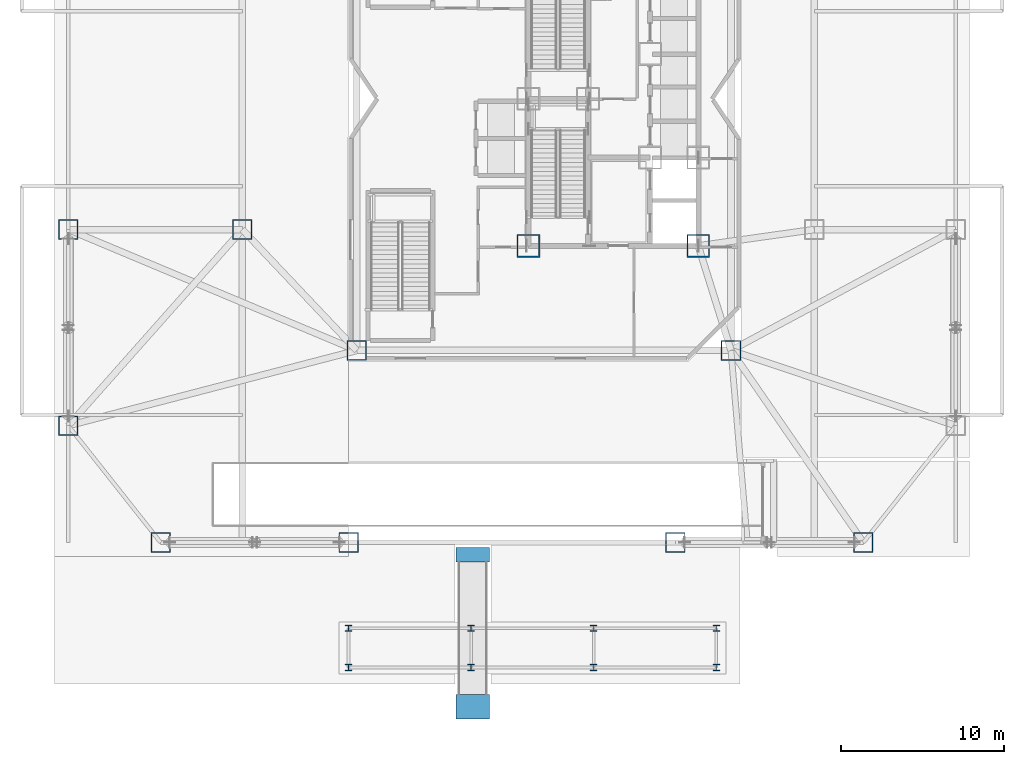
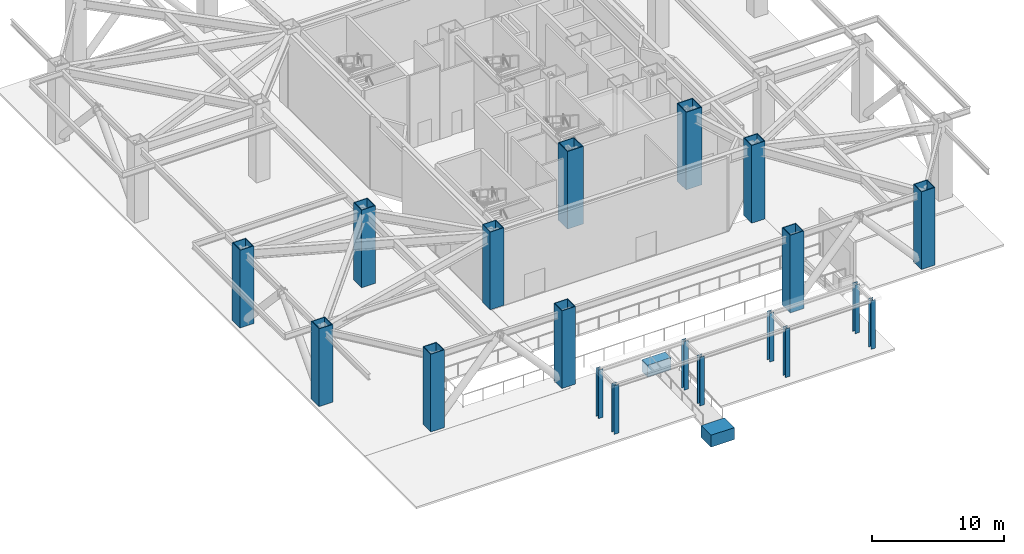
# One storey, part 1 of 14: 19 columns, 2 footings.
"""IFC4 building model written with IfcOpenShell, lengths in metres."""

import ifcopenshell
import ifcopenshell.guid

model = None  # the IFC model being written
_history = None  # IfcOwnerHistory: only IFC2X3 demands one
_inside = {}  # id of a spatial element -> (the spatial element, [elements in it])
_under = {}  # id of a project, library or spatial element -> (it, [spatial elements below it])
_declared = {}  # id of a project -> (the project, [libraries it declares])
_typed = {}  # id of a type object -> (the type object, [elements of that type])
_made_of = {}  # id of a material, layer set ... -> (it, [elements and type objects made of it])


def new_model(schema):
    """Start an empty IFC model of exactly this schema.

    Asked for "IFC4X3", IfcOpenShell would pick the latest addendum, in which some entities
    have other attributes; the version numbers below select the first issue.
    IFC2X3 requires an IfcOwnerHistory on every rooted entity: one is made here for all.
    """
    global model, _history
    if schema == "IFC4X3":
        model = ifcopenshell.file(schema_version=(4, 3, 0, 0))
    else:
        model = ifcopenshell.file(schema=schema)
    _inside.clear()
    _under.clear()
    _declared.clear()
    _typed.clear()
    _made_of.clear()
    _history = None
    if model.schema == "IFC2X3":
        org = make("IfcOrganization", Name="unknown")
        user = make(
            "IfcPersonAndOrganization",
            ThePerson=make("IfcPerson", FamilyName="unknown"),
            TheOrganization=org,
        )
        app = make(
            "IfcApplication",
            ApplicationDeveloper=org,
            Version="unknown",
            ApplicationFullName="unknown",
            ApplicationIdentifier="unknown",
        )
        _history = make(
            "IfcOwnerHistory",
            OwningUser=user,
            OwningApplication=app,
            ChangeAction="ADDED",
            CreationDate=0,
        )
    return model


def make(cls, **values):
    """One entity of the class cls with the attributes given. An attribute that is None is left unset."""
    return model.create_entity(
        cls, **{name: value for name, value in values.items() if value is not None}
    )


def rooted(cls, **values):
    """An entity with a GlobalId (a new one), such as an element, a storey or a relation."""
    return make(cls, GlobalId=ifcopenshell.guid.new(), OwnerHistory=_history, **values)


def si_unit(unit_type, name, prefix=None):
    """IfcSIUnit, for example si_unit("LENGTHUNIT", "METRE", prefix="MILLI")."""
    return make("IfcSIUnit", UnitType=unit_type, Prefix=prefix, Name=name)


def assignment(units):
    """IfcUnitAssignment: the units of a project."""
    return None if units is None else make("IfcUnitAssignment", Units=units)


def point(xyz):
    """IfcCartesianPoint."""
    return None if xyz is None else make("IfcCartesianPoint", Coordinates=xyz)


def direction(xyz):
    """IfcDirection."""
    return None if xyz is None else make("IfcDirection", DirectionRatios=xyz)


def frame(location, z_axis=None, x_axis=None):
    """IfcAxis2Placement3D, a coordinate frame: its origin and axes. An axis left out is left unset."""
    return make(
        "IfcAxis2Placement3D",
        Location=point(location),
        Axis=direction(z_axis),
        RefDirection=direction(x_axis),
    )


def frame_2d(location, x_axis=None):
    """IfcAxis2Placement2D, a coordinate frame in the plane: its origin and x axis."""
    return make(
        "IfcAxis2Placement2D", Location=point(location), RefDirection=direction(x_axis)
    )


def origin():
    """The frame at (0, 0, 0) with its axes left unset."""
    return frame((0.0, 0.0, 0.0))


def origin_2d():
    """The frame at (0, 0) in the plane with its x axis left unset."""
    return frame_2d((0.0, 0.0))


def place(relative_to, where):
    """IfcLocalPlacement: puts the frame where relative to a parent placement (None: the world)."""
    return make(
        "IfcLocalPlacement", PlacementRelTo=relative_to, RelativePlacement=where
    )


def context(
    kind, dimensions, precision=None, world=None, true_north=None, identifier=None
):
    """IfcGeometricRepresentationContext, for example the 3D "Model" context."""
    return make(
        "IfcGeometricRepresentationContext",
        ContextIdentifier=identifier,
        ContextType=kind,
        CoordinateSpaceDimension=dimensions,
        Precision=precision,
        WorldCoordinateSystem=world,
        TrueNorth=true_north,
    )


def subcontext(parent, identifier, kind, view, scale=None):
    """IfcGeometricRepresentationSubContext, for example "Body" below "Model"."""
    return make(
        "IfcGeometricRepresentationSubContext",
        ContextIdentifier=identifier,
        ContextType=kind,
        ParentContext=parent,
        TargetScale=scale,
        TargetView=view,
    )


def project(units=None, contexts=None):
    """IfcProject with its units and contexts."""
    return rooted(
        "IfcProject",
        Name="project",
        RepresentationContexts=contexts,
        UnitsInContext=assignment(units),
    )


def spatial(cls, under=None, at=None, **own):
    """A site, building, storey or space (cls), placed at a placement, below another one or the project."""
    s = rooted(cls, ObjectPlacement=at, **own)
    if under is not None:
        _under.setdefault(under.id(), (under, []))[1].append(s)
    return s


def profile(cls, at=None, kind="AREA", **sizes):
    """A parametric profile (cls). Its sizes go by their IFC names, for example OverallWidth=200.0."""
    return make(cls, ProfileType=kind, Position=at, **sizes)


def rectangle(**sizes):
    """IfcRectangleProfileDef."""
    return profile("IfcRectangleProfileDef", **sizes)


def hollow_rectangle(**sizes):
    """IfcRectangleHollowProfileDef."""
    return profile("IfcRectangleHollowProfileDef", **sizes)


def i_section(**sizes):
    """IfcIShapeProfileDef."""
    return profile("IfcIShapeProfileDef", **sizes)


def extrude(swept, where, along, depth):
    """IfcExtrudedAreaSolid: the profile swept, set in the frame where, extruded along a direction by depth."""
    return make(
        "IfcExtrudedAreaSolid",
        SweptArea=swept,
        Position=where,
        ExtrudedDirection=direction(along),
        Depth=depth,
    )


def shape(context_of_items, identifier, shape_type, items):
    """IfcShapeRepresentation: the items that make up one representation, for example the "Body"."""
    return make(
        "IfcShapeRepresentation",
        ContextOfItems=context_of_items,
        RepresentationIdentifier=identifier,
        RepresentationType=shape_type,
        Items=items,
    )


def material(Name=None, Category=None):
    """IfcMaterial."""
    return make("IfcMaterial", Name=Name, Category=Category)


def material_profile(
    of_material, cross_section, Name=None, Category=None, Priority=None
):
    """IfcMaterialProfile: a cross section and its material."""
    return make(
        "IfcMaterialProfile",
        Name=Name,
        Material=of_material,
        Profile=cross_section,
        Priority=Priority,
        Category=Category,
    )


def profile_set(profiles, Name=None, composite=None):
    """IfcMaterialProfileSet."""
    return make(
        "IfcMaterialProfileSet",
        Name=Name,
        MaterialProfiles=profiles,
        CompositeProfile=composite,
    )


def made_of(thing, what):
    """Note that an element or type object is made of a material, layer set ...; save() writes the relation."""
    if what is not None:
        _made_of.setdefault(what.id(), (what, []))[1].append(thing)
    return thing


def type_object(cls, material=None, **own):
    """A type object (cls), such as IfcWallType, which elements share."""
    return made_of(rooted(cls, **own), material)


def element(
    cls,
    number,
    at=None,
    inside=None,
    cuts=None,
    type_object=None,
    material=None,
    context=None,
    identifier="Body",
    shape_type=None,
    held_by="IfcProductDefinitionShape",
    body=None,
    shapes=None,
    **own,
):
    """One element of the class cls, such as IfcWall. Its Tag is "e" and its number.

    at: its placement. inside: the storey or other place that contains it. cuts: it is an
    opening in that element (IfcRelVoidsElement). A single representation is given by context,
    identifier, shape_type and body (its items); several are given by shapes. held_by: the class
    of the entity that holds the representations. save() writes the other relations.
    """
    e = rooted(cls, Tag="e%d" % number, ObjectPlacement=at, **own)
    if body is not None:
        shapes = [shape(context, identifier, shape_type, body)]
    if shapes is not None:
        e.Representation = make(held_by, Representations=shapes)
    if inside is not None:
        _inside.setdefault(inside.id(), (inside, []))[1].append(e)
    if cuts is not None:
        rooted(
            "IfcRelVoidsElement", RelatingBuildingElement=cuts, RelatedOpeningElement=e
        )
    if type_object is not None:
        _typed.setdefault(type_object.id(), (type_object, []))[1].append(e)
    return made_of(e, material)


def aggregate(whole, parts):
    """IfcRelAggregates: a whole, such as a stair, and the parts it consists of."""
    return rooted("IfcRelAggregates", RelatingObject=whole, RelatedObjects=parts)


def save(model, path):
    """Write the relations noted so far, then the file.

    IfcRelAggregates (storeys below a building ...), IfcRelContainedInSpatialStructure (elements
    in a storey), IfcRelDefinesByType, IfcRelAssociatesMaterial and IfcRelDeclares: one each for
    every whole, place, type object, material and project.
    """
    for whole, parts in _under.values():
        aggregate(whole, parts)
    for where, things in _inside.values():
        rooted(
            "IfcRelContainedInSpatialStructure",
            RelatedElements=things,
            RelatingStructure=where,
        )
    for kind, things in _typed.values():
        rooted("IfcRelDefinesByType", RelatedObjects=things, RelatingType=kind)
    for what, things in _made_of.values():
        rooted("IfcRelAssociatesMaterial", RelatedObjects=things, RelatingMaterial=what)
    for by, libraries in _declared.values():
        rooted("IfcRelDeclares", RelatingContext=by, RelatedDefinitions=libraries)
    model.write(path)


model = new_model("IFC4")

# Units and contexts
model_context = context("Model", 3, precision=1e-05, world=origin(), true_north=direction((0.0, 1.0)))
body_context = subcontext(model_context, "Body", "Model", "MODEL_VIEW")
ifc_project = project(units=[si_unit("LENGTHUNIT", "METRE"), si_unit("AREAUNIT", "SQUARE_METRE"), si_unit("VOLUMEUNIT", "CUBIC_METRE"), si_unit("PLANEANGLEUNIT", "RADIAN"), si_unit("MASSUNIT", "GRAM", prefix="KILO")], contexts=[model_context])

# Site, building, storey
site_placement = place(None, origin())
site = spatial("IfcSite", under=ifc_project, at=site_placement, CompositionType="ELEMENT")
building_placement = place(site_placement, origin())
building = spatial("IfcBuilding", under=site, at=building_placement, Name="Khamvora Tower", CompositionType="ELEMENT")
storey_placement = place(building_placement, origin())
storey = spatial("IfcBuildingStorey", under=building, at=storey_placement, Name="L00", CompositionType="ELEMENT", Elevation=0.0)

# Footings
ifc_material_1 = material(Name="Concrete C40/50", Category="concrete")
footing_type_1 = type_object("IfcFootingType", Name="FTG-PAD-2040x1504", PredefinedType="PAD_FOOTING", material=ifc_material_1)
footing_1_placement = place(storey_placement, frame((25.60009765625, -9.199951171875, -1.75), z_axis=(0.0, 0.0, 1.0), x_axis=(1.0, 0.0, 0.0)))
element("IfcFooting", 1, at=footing_1_placement, inside=storey, type_object=footing_type_1, Name="Accessible ramp RMP-01 south grade landing pad footing", PredefinedType="PAD_FOOTING", context=body_context, shape_type="SweptSolid", body=[
    extrude(rectangle(XDim=2.0400390625, YDim=1.50390625, at=origin_2d()), origin(), (0.0, 0.0, 1.0), 1.10009765625),
])
footing_type_2 = type_object("IfcFootingType", Name="FTG-PAD-2040x880", PredefinedType="PAD_FOOTING", material=ifc_material_1)
footing_2_placement = place(storey_placement, frame((25.60009765625, 0.10009765625, -1.10009765625), z_axis=(0.0, 0.0, 1.0), x_axis=(1.0, 0.0, 0.0)))
element("IfcFooting", 2, at=footing_2_placement, inside=storey, type_object=footing_type_2, Name="Accessible ramp RMP-01 north grade landing pad footing", PredefinedType="PAD_FOOTING", context=body_context, shape_type="SweptSolid", body=[
    extrude(rectangle(XDim=2.0400390625, YDim=0.8798828125, at=origin_2d()), origin(), (0.0, 0.0, 1.0), 1.10009765625),
])

# Columns
ifc_material_2 = material(Name="Steel S460", Category="steel")
ifc_material_profile_1 = material_profile(ifc_material_2, hollow_rectangle(XDim=1.199951171875, YDim=1.199951171875, WallThickness=0.06005859375, at=origin_2d()), Name="BOX1200x1200x60")
ifc_profile_set_1 = profile_set([ifc_material_profile_1], Name="Steel S460")
column_type_1 = type_object("IfcColumnType", Name="COL-BOX1200", PredefinedType="COLUMN", material=ifc_profile_set_1)
for number, where, z_axis, x_axis, name in (
    (3, (6.5, 0.85009765625, 0.0), (0.0, 0.0, 1.0), (1.0, 0.0, 0.0), "L00 structural frame column P01"),
    (4, (18.0, 0.85009765625, 0.0), (0.0, 0.0, 1.0), (1.0, 0.0, 0.0), "L00 structural frame column P02"),
    (5, (38.0, 0.85009765625, 0.0), (0.0, 0.0, 1.0), (1.0, 0.0, 0.0), "L00 structural frame column P03"),
    (6, (49.5, 0.85009765625, 0.0), (0.0, 0.0, 1.0), (1.0, 0.0, 0.0), "L00 structural frame column P04"),
    (7, (0.85009765625, 8.0, 0.0), (0.0, 0.0, 1.0), (1.0, 0.0, 0.0), "L00 structural frame column P09"),
    (8, (0.85009765625, 20.0, 0.0), (0.0, 0.0, 1.0), (1.0, 0.0, 0.0), "L00 structural frame column P10"),
    (9, (18.5, 12.60009765625, 0.0), (0.0, 0.0, 1.0), (1.0, 0.0, 0.0), "L00 structural frame column P17"),
    (10, (41.39990234375, 12.60009765625, 0.0), (0.0, 0.0, 1.0), (1.0, 0.0, 0.0), "L00 structural frame column P18"),
    (11, (11.5, 20.0, 0.0), (0.0, 0.0, 1.0), (1.0, 0.0, 0.0), "L00 structural frame column P21"),
):
    element("IfcColumn", number, at=place(storey_placement, frame(where, z_axis=z_axis, x_axis=x_axis)), inside=storey, type_object=column_type_1, Name=name, PredefinedType="COLUMN", context=body_context, shape_type="SweptSolid", body=[
        extrude(hollow_rectangle(XDim=1.199951171875, YDim=1.199951171875, WallThickness=0.06005859375, at=origin_2d()), origin(), (0.0, 0.0, 1.0), 7.199951171875),
    ])
ifc_material_profile_2 = material_profile(ifc_material_2, hollow_rectangle(XDim=1.39990234375, YDim=1.39990234375, WallThickness=0.070068359375, at=origin_2d()), Name="BOX1400x1400x70")
ifc_profile_set_2 = profile_set([ifc_material_profile_2], Name="Steel S460")
column_type_2 = type_object("IfcColumnType", Name="COL-BOX1400", PredefinedType="COLUMN", material=ifc_profile_set_2)
for number, where, z_axis, x_axis, name in (
    (12, (29.0, 19.0, 0.0), (0.0, 0.0, 1.0), (1.0, 0.0, 0.0), "L00 plumb core spine column SC1"),
    (13, (39.39990234375, 19.0, 0.0), (0.0, 0.0, 1.0), (1.0, 0.0, 0.0), "L00 plumb core spine column SC3"),
):
    element("IfcColumn", number, at=place(storey_placement, frame(where, z_axis=z_axis, x_axis=x_axis)), inside=storey, type_object=column_type_2, Name=name, PredefinedType="COLUMN", context=body_context, shape_type="SweptSolid", body=[
        extrude(hollow_rectangle(XDim=1.39990234375, YDim=1.39990234375, WallThickness=0.070068359375, at=origin_2d()), origin(), (0.0, 0.0, 1.0), 7.199951171875),
    ])
ifc_material_3 = material(Name="Steel S355", Category="steel")
ifc_material_profile_3 = material_profile(ifc_material_3, i_section(OverallWidth=0.39794921875, OverallDepth=0.386962890625, WebThickness=0.01806640625, FlangeThickness=0.029052734375, FilletRadius=0.014892578125, at=origin_2d()), Name="HD400x262")
ifc_profile_set_3 = profile_set([ifc_material_profile_3], Name="Steel S355")
column_type_3 = type_object("IfcColumnType", Name="COL-HD262", PredefinedType="PILASTER", material=ifc_profile_set_3)
for number, where, z_axis, x_axis, name in (
    (14, (18.0, -6.800048828125, 0.0), (0.0, 0.0, 1.0), (1.0, 0.0, 0.0), "L00 forecourt canopy column S11"),
    (15, (25.5, -6.800048828125, 0.0), (0.0, 0.0, 1.0), (1.0, 0.0, 0.0), "L00 forecourt canopy column S12"),
    (16, (33.0, -6.800048828125, 0.0), (0.0, 0.0, 1.0), (1.0, 0.0, 0.0), "L00 forecourt canopy column S13"),
    (17, (40.5, -6.800048828125, 0.0), (0.0, 0.0, 1.0), (1.0, 0.0, 0.0), "L00 forecourt canopy column S14"),
    (18, (18.0, -4.39990234375, 0.0), (0.0, 0.0, 1.0), (1.0, 0.0, 0.0), "L00 forecourt canopy column S21"),
    (19, (25.5, -4.39990234375, 0.0), (0.0, 0.0, 1.0), (1.0, 0.0, 0.0), "L00 forecourt canopy column S22"),
    (20, (33.0, -4.39990234375, 0.0), (0.0, 0.0, 1.0), (1.0, 0.0, 0.0), "L00 forecourt canopy column S23"),
    (21, (40.5, -4.39990234375, 0.0), (0.0, 0.0, 1.0), (1.0, 0.0, 0.0), "L00 forecourt canopy column S24"),
):
    element("IfcColumn", number, at=place(storey_placement, frame(where, z_axis=z_axis, x_axis=x_axis)), inside=storey, type_object=column_type_3, Name=name, PredefinedType="PILASTER", context=body_context, shape_type="SweptSolid", body=[
        extrude(i_section(OverallWidth=0.39794921875, OverallDepth=0.386962890625, WebThickness=0.01806640625, FlangeThickness=0.029052734375, FilletRadius=0.014892578125, at=origin_2d()), origin(), (0.0, 0.0, 1.0), 4.5),
    ])

save(model, "model.ifc")
